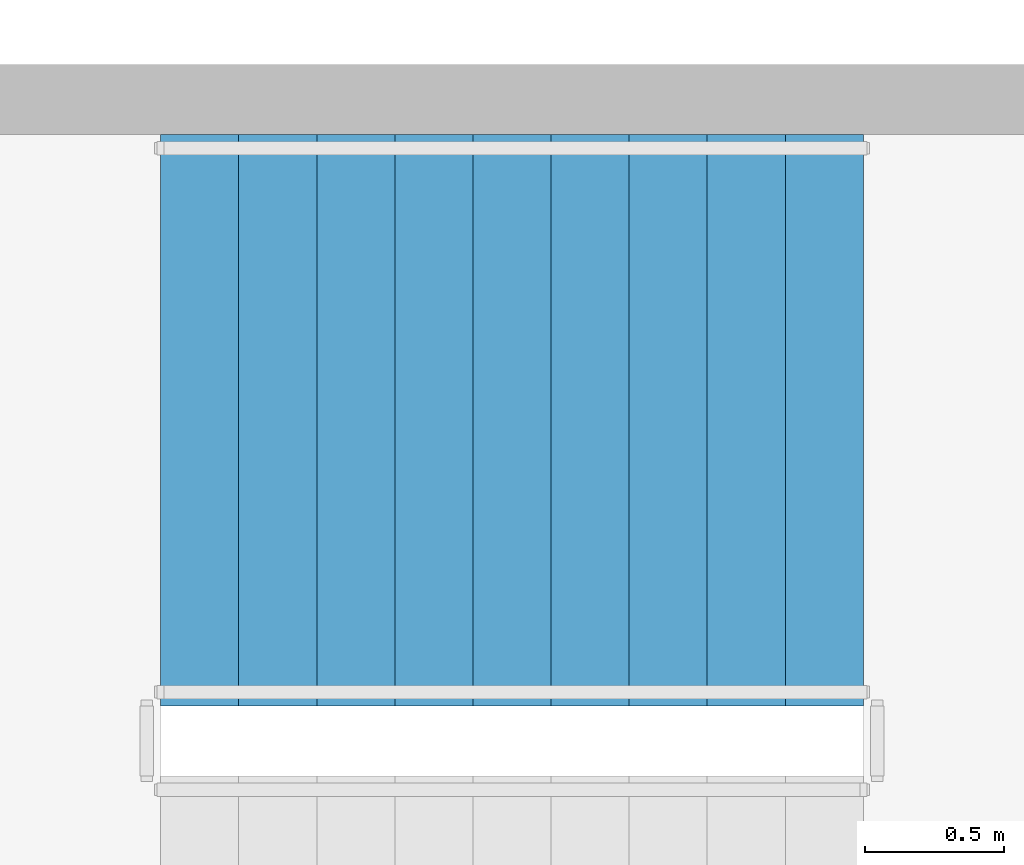
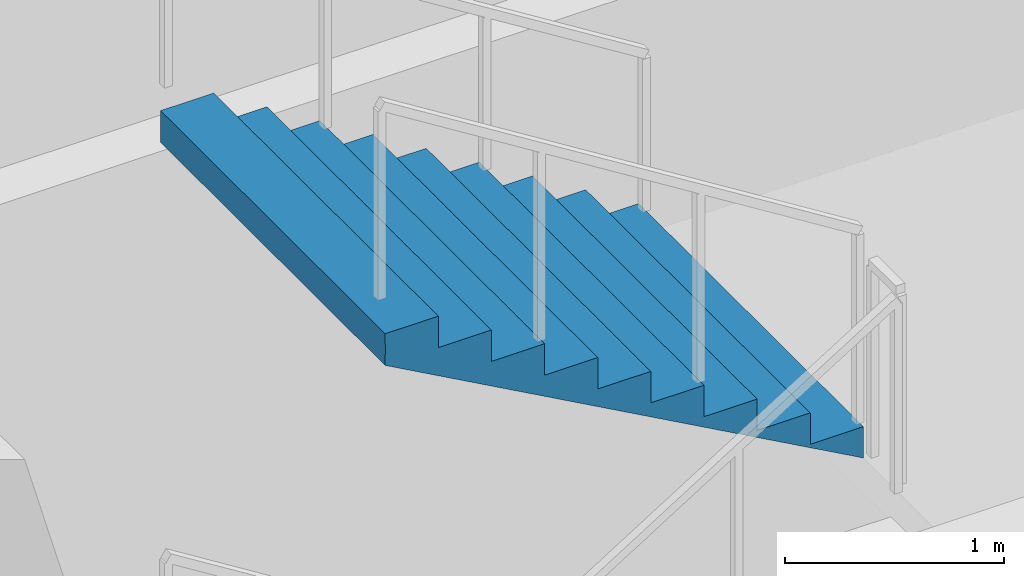
# One storey, part 17 of 21: 1 stair flight, 1 element without a shape of its own.
"""IFC4 building model written with IfcOpenShell, lengths in metres."""

from ifc_helpers import new_model, si_unit, direction, frame, origin, place, context, subcontext, project, spatial, triangles, material, type_object, element, aggregate, save


model = new_model("IFC4")

# Units and contexts
model_context = context("Model", 3, precision=1e-05, world=origin(), true_north=direction((0.0, 1.0)))
body_context = subcontext(model_context, "Body", "Model", "MODEL_VIEW")
ifc_project = project(units=[si_unit("LENGTHUNIT", "METRE"), si_unit("AREAUNIT", "SQUARE_METRE"), si_unit("VOLUMEUNIT", "CUBIC_METRE"), si_unit("PLANEANGLEUNIT", "RADIAN"), si_unit("MASSUNIT", "GRAM", prefix="KILO")], contexts=[model_context])

# Site, building, storey
site_placement = place(None, origin())
site = spatial("IfcSite", under=ifc_project, at=site_placement, CompositionType="ELEMENT")
building_placement = place(site_placement, origin())
building = spatial("IfcBuilding", under=site, at=building_placement, Name="Cypress Arch Tower", CompositionType="ELEMENT")
storey_placement = place(building_placement, frame((0.0, 0.0, 29.0)))
storey = spatial("IfcBuildingStorey", under=building, at=storey_placement, Name="L03", CompositionType="ELEMENT", Elevation=29.0)

# Stair, stair flight
ifc_material_1 = material(Name="Concrete C40/50", Category="concrete")
stair_type = type_object("IfcStairType", Name="Exit stair ES1750-205", PredefinedType="HALF_TURN_STAIR", material=ifc_material_1)
stair_placement = place(storey_placement, origin())
stair = element("IfcStair", 1, at=stair_placement, inside=storey, type_object=stair_type, Name="L03 Exit stair P3", PredefinedType="HALF_TURN_STAIR")
ifc_material_2 = material(Name="Concrete C40/50", Category="concrete")
stair_flight_type = type_object("IfcStairFlightType", Name="Exit stair flight ES1750-205", PredefinedType="STRAIGHT", material=ifc_material_2)
stair_flight_placement = place(storey_placement, frame((32.969970703125, 4.449951171875, 5.25), z_axis=(0.0, 0.0, 1.0), x_axis=(-1.0, 0.0, 0.0)))
stair_flight = element("IfcStairFlight", 2, at=stair_flight_placement, type_object=stair_flight_type, Name="P3 flight 4", NumberOfRisers=10, NumberOfTreads=9, PredefinedType="STRAIGHT", RiserHeight=0.175, TreadLength=0.28, context=body_context, shape_type="Tessellation", body=[
    triangles([(0.0, -1.02490234375, 0.0), (0.000244140625, -1.02490234375, 0.034912109375), (0.00048828125, -1.02490234375, 0.070068359375), (0.00048828125, -1.02490234375, 0.10498046875), (0.000244140625, -1.02490234375, 0.14013671875), (0.0, -1.02490234375, 0.175048828125), (0.280029296875, -1.02490234375, 0.175048828125), (0.280029296875, -1.02490234375, 0.35009765625), (0.56005859375, -1.02490234375, 0.35009765625), (0.56005859375, -1.02490234375, 0.52490234375), (0.840087890625, -1.02490234375, 0.52490234375), (0.840087890625, -1.02490234375, 0.699951171875), (1.1201171875, -1.02490234375, 0.699951171875), (1.1201171875, -1.02490234375, 0.875), (1.39990234375, -1.02490234375, 0.875), (1.39990234375, -1.02490234375, 1.050048828125), (1.679931640625, -1.02490234375, 1.050048828125), (1.679931640625, -1.02490234375, 1.22509765625), (1.9599609375, -1.02490234375, 1.22509765625), (1.9599609375, -1.02490234375, 1.39990234375), (2.239990234375, -1.02490234375, 1.39990234375), (2.239990234375, -1.02490234375, 1.574951171875), (2.52001953125, -1.02490234375, 1.574951171875), (2.519775390625, -1.02490234375, 1.53955078125), (2.51953125, -1.02490234375, 1.504150390625), (2.51953125, -1.02490234375, 1.468994140625), (2.519775390625, -1.02490234375, 1.43359375), (2.52001953125, -1.02490234375, 1.398193359375), (2.52001953125, 1.02490234375, 1.398193359375), (2.519775390625, 1.02490234375, 1.43359375), (2.51953125, 1.02490234375, 1.468994140625), (2.51953125, 1.02490234375, 1.504150390625), (2.519775390625, 1.02490234375, 1.53955078125), (2.52001953125, 1.02490234375, 1.574951171875), (2.239990234375, 1.02490234375, 1.574951171875), (2.239990234375, 1.02490234375, 1.39990234375), (1.9599609375, 1.02490234375, 1.39990234375), (1.9599609375, 1.02490234375, 1.22509765625), (1.679931640625, 1.02490234375, 1.22509765625), (1.679931640625, 1.02490234375, 1.050048828125), (1.39990234375, 1.02490234375, 1.050048828125), (1.39990234375, 1.02490234375, 0.875), (1.1201171875, 1.02490234375, 0.875), (1.1201171875, 1.02490234375, 0.699951171875), (0.840087890625, 1.02490234375, 0.699951171875), (0.840087890625, 1.02490234375, 0.52490234375), (0.56005859375, 1.02490234375, 0.52490234375), (0.56005859375, 1.02490234375, 0.35009765625), (0.280029296875, 1.02490234375, 0.35009765625), (0.280029296875, 1.02490234375, 0.175048828125), (0.0, 1.02490234375, 0.175048828125), (0.000244140625, 1.02490234375, 0.14013671875), (0.00048828125, 1.02490234375, 0.10498046875), (0.00048828125, 1.02490234375, 0.070068359375), (0.000244140625, 1.02490234375, 0.034912109375), (0.0, 1.02490234375, 0.0), (2.519775390625, 0.0, 1.43359375), (2.52001953125, 0.0, 1.398193359375), (2.51953125, 0.0, 1.468994140625), (2.51953125, 0.0, 1.504150390625), (2.519775390625, 0.0, 1.53955078125), (2.52001953125, 0.0, 1.574951171875), (2.239990234375, 0.0, 1.574951171875), (2.239990234375, 0.0, 1.39990234375), (1.9599609375, 0.0, 1.39990234375), (1.9599609375, 0.0, 1.22509765625), (1.679931640625, 0.0, 1.22509765625), (1.679931640625, 0.0, 1.050048828125), (1.39990234375, 0.0, 1.050048828125), (1.39990234375, 0.0, 0.875), (1.1201171875, 0.0, 0.875), (1.1201171875, 0.0, 0.699951171875), (0.840087890625, 0.0, 0.699951171875), (0.840087890625, 0.0, 0.52490234375), (0.56005859375, 0.0, 0.52490234375), (0.56005859375, 0.0, 0.35009765625), (0.280029296875, 0.0, 0.35009765625), (0.280029296875, 0.0, 0.175048828125), (0.0, 0.0, 0.175048828125), (0.000244140625, 0.0, 0.14013671875), (0.00048828125, 0.0, 0.10498046875), (0.00048828125, 0.0, 0.070068359375), (0.000244140625, 0.0, 0.034912109375), (0.0, 0.0, 0.0)], [[28, 27, 22], [27, 26, 22], [26, 25, 22], [25, 24, 22], [24, 23, 22], [15, 14, 13], [19, 18, 17], [17, 16, 15], [13, 12, 11], [9, 8, 7], [6, 5, 7], [5, 4, 7], [4, 3, 7], [3, 2, 7], [2, 1, 7], [21, 20, 19], [11, 10, 9], [28, 22, 21], [28, 21, 19], [28, 19, 17], [28, 17, 15], [28, 15, 13], [28, 13, 11], [1, 28, 11], [11, 9, 7], [11, 7, 1], [29, 35, 30], [30, 35, 31], [31, 35, 32], [32, 35, 33], [33, 35, 34], [42, 44, 43], [38, 40, 39], [40, 42, 41], [44, 46, 45], [48, 50, 49], [51, 50, 52], [52, 50, 53], [53, 50, 54], [54, 50, 55], [55, 50, 56], [36, 38, 37], [46, 48, 47], [29, 36, 35], [29, 38, 36], [29, 40, 38], [29, 42, 40], [29, 44, 42], [29, 46, 44], [56, 46, 29], [46, 50, 48], [46, 56, 50], [58, 57, 27], [58, 27, 28], [29, 30, 57], [29, 57, 58], [57, 59, 26], [57, 26, 27], [30, 31, 59], [30, 59, 57], [59, 60, 25], [59, 25, 26], [31, 32, 60], [31, 60, 59], [60, 61, 24], [60, 24, 25], [32, 33, 61], [32, 61, 60], [61, 62, 23], [61, 23, 24], [33, 34, 62], [33, 62, 61], [62, 63, 22], [62, 22, 23], [34, 35, 63], [34, 63, 62], [63, 64, 21], [63, 21, 22], [35, 36, 64], [35, 64, 63], [64, 65, 20], [64, 20, 21], [36, 37, 65], [36, 65, 64], [65, 66, 19], [65, 19, 20], [37, 38, 66], [37, 66, 65], [66, 67, 18], [66, 18, 19], [38, 39, 67], [38, 67, 66], [67, 68, 17], [67, 17, 18], [39, 40, 68], [39, 68, 67], [68, 69, 16], [68, 16, 17], [40, 41, 69], [40, 69, 68], [69, 70, 15], [69, 15, 16], [41, 42, 70], [41, 70, 69], [70, 71, 14], [70, 14, 15], [42, 43, 71], [42, 71, 70], [71, 72, 13], [71, 13, 14], [43, 44, 72], [43, 72, 71], [72, 73, 12], [72, 12, 13], [44, 45, 73], [44, 73, 72], [73, 74, 11], [73, 11, 12], [45, 46, 74], [45, 74, 73], [74, 75, 10], [74, 10, 11], [46, 47, 75], [46, 75, 74], [75, 76, 9], [75, 9, 10], [47, 48, 76], [47, 76, 75], [76, 77, 8], [76, 8, 9], [48, 49, 77], [48, 77, 76], [77, 78, 7], [77, 7, 8], [49, 50, 78], [49, 78, 77], [78, 79, 6], [78, 6, 7], [50, 51, 79], [50, 79, 78], [79, 80, 5], [79, 5, 6], [51, 52, 80], [51, 80, 79], [80, 81, 4], [80, 4, 5], [52, 53, 81], [52, 81, 80], [81, 82, 3], [81, 3, 4], [53, 54, 82], [53, 82, 81], [82, 83, 2], [82, 2, 3], [54, 55, 83], [54, 83, 82], [83, 84, 1], [83, 1, 2], [55, 56, 84], [55, 84, 83], [84, 58, 28], [84, 28, 1], [56, 29, 58], [56, 58, 84]], closed=True),
])
aggregate(stair, [stair_flight])

save(model, "model.ifc")
